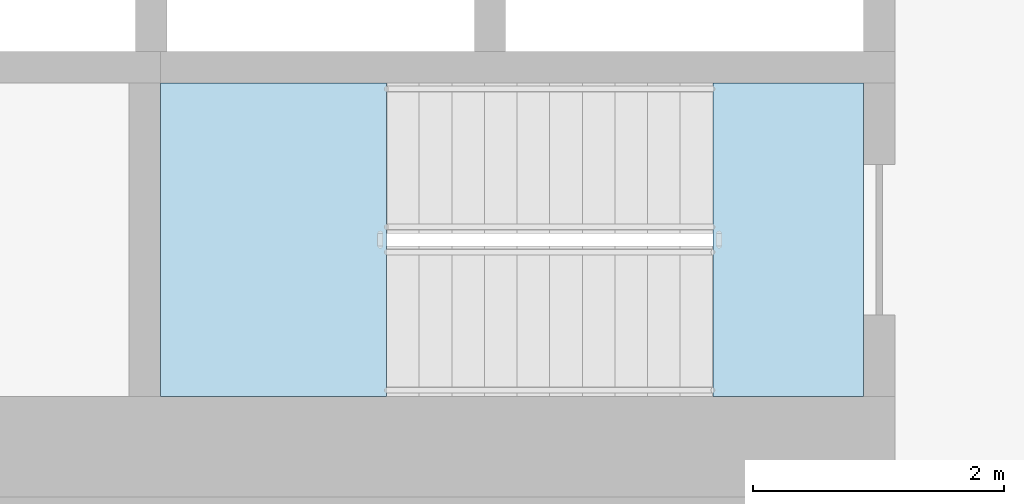
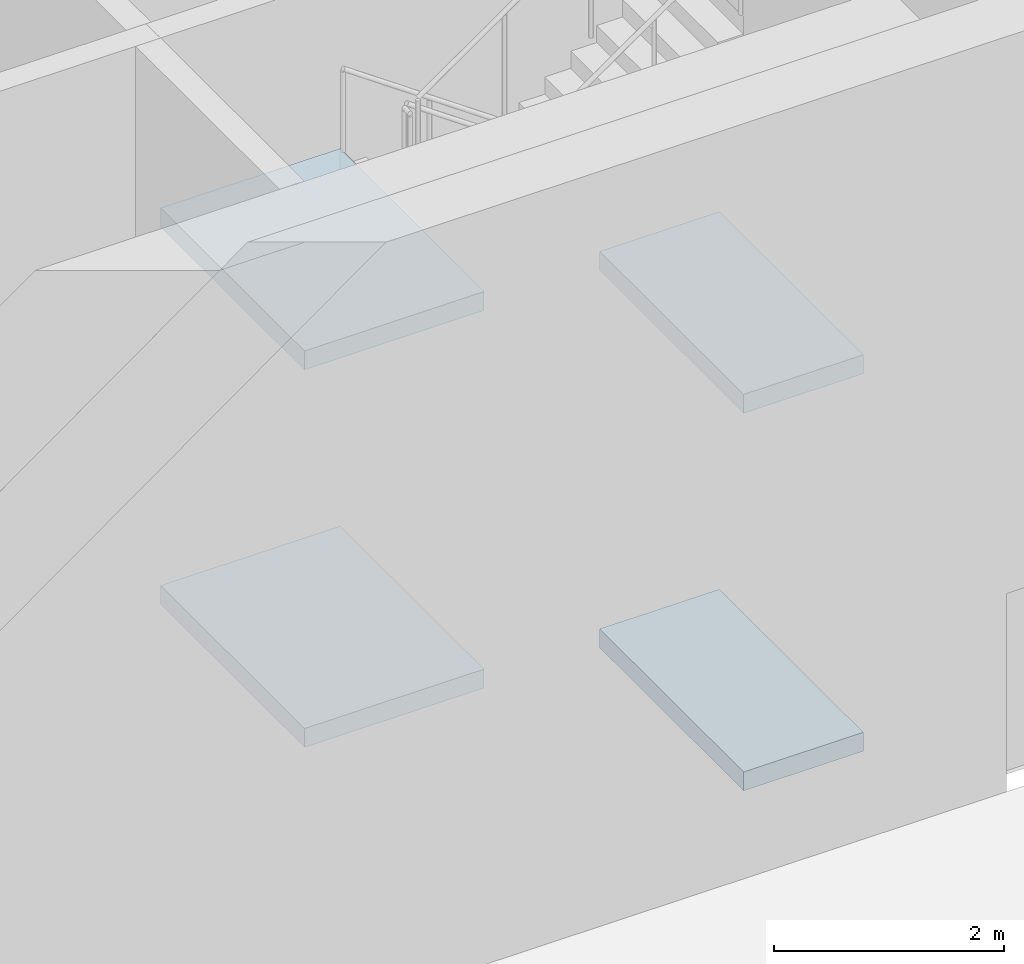
# One storey, part 12 of 36: 4 slabs, 1 element without a shape of its own.
"""IFC4 building model written with IfcOpenShell, lengths in metres."""

import ifcopenshell
import ifcopenshell.guid

model = None  # the IFC model being written
_history = None  # IfcOwnerHistory: only IFC2X3 demands one
_inside = {}  # id of a spatial element -> (the spatial element, [elements in it])
_under = {}  # id of a project, library or spatial element -> (it, [spatial elements below it])
_declared = {}  # id of a project -> (the project, [libraries it declares])
_typed = {}  # id of a type object -> (the type object, [elements of that type])
_made_of = {}  # id of a material, layer set ... -> (it, [elements and type objects made of it])


def new_model(schema):
    """Start an empty IFC model of exactly this schema.

    Asked for "IFC4X3", IfcOpenShell would pick the latest addendum, in which some entities
    have other attributes; the version numbers below select the first issue.
    IFC2X3 requires an IfcOwnerHistory on every rooted entity: one is made here for all.
    """
    global model, _history
    if schema == "IFC4X3":
        model = ifcopenshell.file(schema_version=(4, 3, 0, 0))
    else:
        model = ifcopenshell.file(schema=schema)
    _inside.clear()
    _under.clear()
    _declared.clear()
    _typed.clear()
    _made_of.clear()
    _history = None
    if model.schema == "IFC2X3":
        org = make("IfcOrganization", Name="unknown")
        user = make(
            "IfcPersonAndOrganization",
            ThePerson=make("IfcPerson", FamilyName="unknown"),
            TheOrganization=org,
        )
        app = make(
            "IfcApplication",
            ApplicationDeveloper=org,
            Version="unknown",
            ApplicationFullName="unknown",
            ApplicationIdentifier="unknown",
        )
        _history = make(
            "IfcOwnerHistory",
            OwningUser=user,
            OwningApplication=app,
            ChangeAction="ADDED",
            CreationDate=0,
        )
    return model


def make(cls, **values):
    """One entity of the class cls with the attributes given. An attribute that is None is left unset."""
    return model.create_entity(
        cls, **{name: value for name, value in values.items() if value is not None}
    )


def rooted(cls, **values):
    """An entity with a GlobalId (a new one), such as an element, a storey or a relation."""
    return make(cls, GlobalId=ifcopenshell.guid.new(), OwnerHistory=_history, **values)


def si_unit(unit_type, name, prefix=None):
    """IfcSIUnit, for example si_unit("LENGTHUNIT", "METRE", prefix="MILLI")."""
    return make("IfcSIUnit", UnitType=unit_type, Prefix=prefix, Name=name)


def assignment(units):
    """IfcUnitAssignment: the units of a project."""
    return None if units is None else make("IfcUnitAssignment", Units=units)


def point(xyz):
    """IfcCartesianPoint."""
    return None if xyz is None else make("IfcCartesianPoint", Coordinates=xyz)


def direction(xyz):
    """IfcDirection."""
    return None if xyz is None else make("IfcDirection", DirectionRatios=xyz)


def frame(location, z_axis=None, x_axis=None):
    """IfcAxis2Placement3D, a coordinate frame: its origin and axes. An axis left out is left unset."""
    return make(
        "IfcAxis2Placement3D",
        Location=point(location),
        Axis=direction(z_axis),
        RefDirection=direction(x_axis),
    )


def origin():
    """The frame at (0, 0, 0) with its axes left unset."""
    return frame((0.0, 0.0, 0.0))


def place(relative_to, where):
    """IfcLocalPlacement: puts the frame where relative to a parent placement (None: the world)."""
    return make(
        "IfcLocalPlacement", PlacementRelTo=relative_to, RelativePlacement=where
    )


def context(
    kind, dimensions, precision=None, world=None, true_north=None, identifier=None
):
    """IfcGeometricRepresentationContext, for example the 3D "Model" context."""
    return make(
        "IfcGeometricRepresentationContext",
        ContextIdentifier=identifier,
        ContextType=kind,
        CoordinateSpaceDimension=dimensions,
        Precision=precision,
        WorldCoordinateSystem=world,
        TrueNorth=true_north,
    )


def subcontext(parent, identifier, kind, view, scale=None):
    """IfcGeometricRepresentationSubContext, for example "Body" below "Model"."""
    return make(
        "IfcGeometricRepresentationSubContext",
        ContextIdentifier=identifier,
        ContextType=kind,
        ParentContext=parent,
        TargetScale=scale,
        TargetView=view,
    )


def project(units=None, contexts=None):
    """IfcProject with its units and contexts."""
    return rooted(
        "IfcProject",
        Name="project",
        RepresentationContexts=contexts,
        UnitsInContext=assignment(units),
    )


def spatial(cls, under=None, at=None, **own):
    """A site, building, storey or space (cls), placed at a placement, below another one or the project."""
    s = rooted(cls, ObjectPlacement=at, **own)
    if under is not None:
        _under.setdefault(under.id(), (under, []))[1].append(s)
    return s


def polyline(points):
    """IfcPolyline through the points."""
    return make("IfcPolyline", Points=[point(p) for p in points])


def outline(outer, holes=None, kind="AREA"):
    """IfcArbitraryClosedProfileDef: a profile drawn as a closed curve; with holes, ...WithVoids."""
    if holes is None:
        return make("IfcArbitraryClosedProfileDef", ProfileType=kind, OuterCurve=outer)
    return make(
        "IfcArbitraryProfileDefWithVoids",
        ProfileType=kind,
        OuterCurve=outer,
        InnerCurves=holes,
    )


def extrude(swept, where, along, depth):
    """IfcExtrudedAreaSolid: the profile swept, set in the frame where, extruded along a direction by depth."""
    return make(
        "IfcExtrudedAreaSolid",
        SweptArea=swept,
        Position=where,
        ExtrudedDirection=direction(along),
        Depth=depth,
    )


def shape(context_of_items, identifier, shape_type, items):
    """IfcShapeRepresentation: the items that make up one representation, for example the "Body"."""
    return make(
        "IfcShapeRepresentation",
        ContextOfItems=context_of_items,
        RepresentationIdentifier=identifier,
        RepresentationType=shape_type,
        Items=items,
    )


def material(Name=None, Category=None):
    """IfcMaterial."""
    return make("IfcMaterial", Name=Name, Category=Category)


def layer(
    of_material, thickness, ventilated=None, Name=None, Category=None, Priority=None
):
    """IfcMaterialLayer: one layer of a wall or slab, of a material (None: an air gap)."""
    return make(
        "IfcMaterialLayer",
        Material=of_material,
        LayerThickness=thickness,
        IsVentilated=ventilated,
        Name=Name,
        Category=Category,
        Priority=Priority,
    )


def layer_set(layers, Name=None):
    """IfcMaterialLayerSet."""
    return make("IfcMaterialLayerSet", MaterialLayers=layers, LayerSetName=Name)


def made_of(thing, what):
    """Note that an element or type object is made of a material, layer set ...; save() writes the relation."""
    if what is not None:
        _made_of.setdefault(what.id(), (what, []))[1].append(thing)
    return thing


def type_object(cls, material=None, **own):
    """A type object (cls), such as IfcWallType, which elements share."""
    return made_of(rooted(cls, **own), material)


def element(
    cls,
    number,
    at=None,
    inside=None,
    cuts=None,
    type_object=None,
    material=None,
    context=None,
    identifier="Body",
    shape_type=None,
    held_by="IfcProductDefinitionShape",
    body=None,
    shapes=None,
    **own,
):
    """One element of the class cls, such as IfcWall. Its Tag is "e" and its number.

    at: its placement. inside: the storey or other place that contains it. cuts: it is an
    opening in that element (IfcRelVoidsElement). A single representation is given by context,
    identifier, shape_type and body (its items); several are given by shapes. held_by: the class
    of the entity that holds the representations. save() writes the other relations.
    """
    e = rooted(cls, Tag="e%d" % number, ObjectPlacement=at, **own)
    if body is not None:
        shapes = [shape(context, identifier, shape_type, body)]
    if shapes is not None:
        e.Representation = make(held_by, Representations=shapes)
    if inside is not None:
        _inside.setdefault(inside.id(), (inside, []))[1].append(e)
    if cuts is not None:
        rooted(
            "IfcRelVoidsElement", RelatingBuildingElement=cuts, RelatedOpeningElement=e
        )
    if type_object is not None:
        _typed.setdefault(type_object.id(), (type_object, []))[1].append(e)
    return made_of(e, material)


def aggregate(whole, parts):
    """IfcRelAggregates: a whole, such as a stair, and the parts it consists of."""
    return rooted("IfcRelAggregates", RelatingObject=whole, RelatedObjects=parts)


def save(model, path):
    """Write the relations noted so far, then the file.

    IfcRelAggregates (storeys below a building ...), IfcRelContainedInSpatialStructure (elements
    in a storey), IfcRelDefinesByType, IfcRelAssociatesMaterial and IfcRelDeclares: one each for
    every whole, place, type object, material and project.
    """
    for whole, parts in _under.values():
        aggregate(whole, parts)
    for where, things in _inside.values():
        rooted(
            "IfcRelContainedInSpatialStructure",
            RelatedElements=things,
            RelatingStructure=where,
        )
    for kind, things in _typed.values():
        rooted("IfcRelDefinesByType", RelatedObjects=things, RelatingType=kind)
    for what, things in _made_of.values():
        rooted("IfcRelAssociatesMaterial", RelatedObjects=things, RelatingMaterial=what)
    for by, libraries in _declared.values():
        rooted("IfcRelDeclares", RelatingContext=by, RelatedDefinitions=libraries)
    model.write(path)


model = new_model("IFC4")

# Units and contexts
model_context = context("Model", 3, precision=1e-05, world=origin(), true_north=direction((0.0, 1.0)))
body_context = subcontext(model_context, "Body", "Model", "MODEL_VIEW")
ifc_project = project(units=[si_unit("LENGTHUNIT", "METRE"), si_unit("AREAUNIT", "SQUARE_METRE"), si_unit("VOLUMEUNIT", "CUBIC_METRE"), si_unit("PLANEANGLEUNIT", "RADIAN"), si_unit("MASSUNIT", "GRAM", prefix="KILO")], contexts=[model_context])

# Site, building, storey
site_placement = place(None, origin())
site = spatial("IfcSite", under=ifc_project, at=site_placement, CompositionType="ELEMENT")
building_placement = place(site_placement, origin())
building = spatial("IfcBuilding", under=site, at=building_placement, Name="Sahrelin Media Tower", CompositionType="ELEMENT")
storey_placement = place(building_placement, origin())
storey = spatial("IfcBuildingStorey", under=building, at=storey_placement, Name="L00", CompositionType="ELEMENT", Elevation=0.0)

# Stair, slabs
ifc_material = material(Name="Concrete C40/50", Category="concrete")
stair_type = type_object("IfcStairType", Name="Exit stair 1200", PredefinedType="HALF_TURN_STAIR", material=ifc_material)
stair_placement = place(storey_placement, origin())
stair = element("IfcStair", 1, at=stair_placement, inside=storey, type_object=stair_type, Name="L00 Exit stair ST2", PredefinedType="HALF_TURN_STAIR")
ifc_layer = layer(ifc_material, 0.199951171875)
ifc_layer_set = layer_set([ifc_layer], Name="Stair landing 200")
slab_type = type_object("IfcSlabType", Name="Stair landing 200", PredefinedType="LANDING", material=ifc_layer_set)
slab_1_placement = place(storey_placement, frame((0.0, 0.0, 1.800048828125)))
slab_1 = element("IfcSlab", 2, at=slab_1_placement, type_object=slab_type, Name="ST2 landing 1", PredefinedType="LANDING", context=body_context, shape_type="SweptSolid", body=[
    extrude(outline(polyline([(5.074951171875, -4.10009765625), (3.27490234375, -4.10009765625), (3.27490234375, -6.60009765625), (5.074951171875, -6.60009765625), (5.074951171875, -4.10009765625)])), origin(), (0.0, 0.0, 1.0), 0.199951171875),
])
slab_2_placement = place(storey_placement, frame((0.0, 0.0, 3.800048828125)))
slab_2 = element("IfcSlab", 3, at=slab_2_placement, type_object=slab_type, Name="ST2 landing 2", PredefinedType="LANDING", context=body_context, shape_type="SweptSolid", body=[
    extrude(outline(polyline([(8.875, -4.10009765625), (7.675048828125, -4.10009765625), (7.675048828125, -6.60009765625), (8.875, -6.60009765625), (8.875, -4.10009765625)])), origin(), (0.0, 0.0, 1.0), 0.199951171875),
])
slab_3_placement = place(storey_placement, frame((0.0, 0.0, 5.800048828125)))
slab_3 = element("IfcSlab", 4, at=slab_3_placement, type_object=slab_type, Name="ST2 landing 3", PredefinedType="LANDING", context=body_context, shape_type="SweptSolid", body=[
    extrude(outline(polyline([(5.074951171875, -4.10009765625), (3.27490234375, -4.10009765625), (3.27490234375, -6.60009765625), (5.074951171875, -6.60009765625), (5.074951171875, -4.10009765625)])), origin(), (0.0, 0.0, 1.0), 0.199951171875),
])
slab_4_placement = place(storey_placement, frame((0.0, 0.0, -0.199951171875)))
slab_4 = element("IfcSlab", 5, at=slab_4_placement, type_object=slab_type, Name="ST2 landing 4", PredefinedType="LANDING", context=body_context, shape_type="SweptSolid", body=[
    extrude(outline(polyline([(8.875, -4.10009765625), (7.675048828125, -4.10009765625), (7.675048828125, -6.60009765625), (8.875, -6.60009765625), (8.875, -4.10009765625)])), origin(), (0.0, 0.0, 1.0), 0.199951171875),
])
aggregate(stair, [slab_1, slab_2, slab_3, slab_4])

save(model, "model.ifc")
